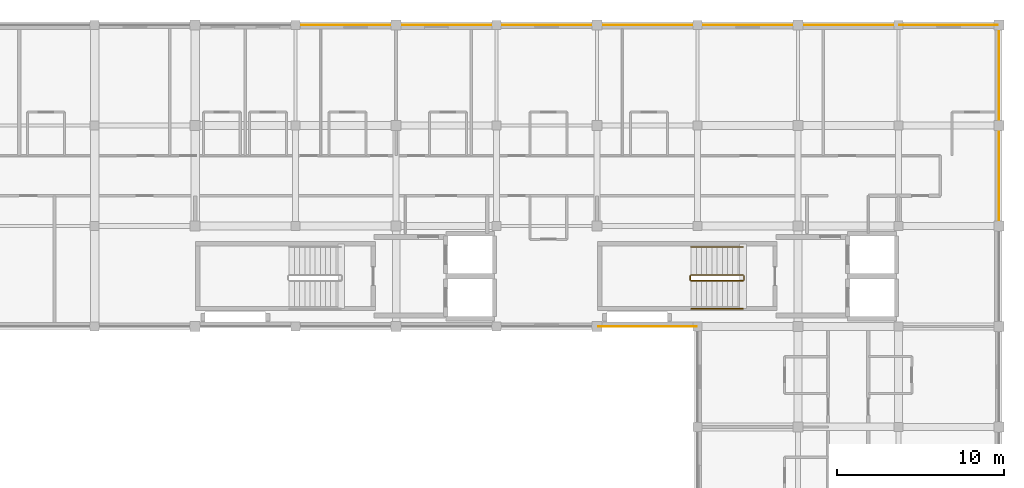
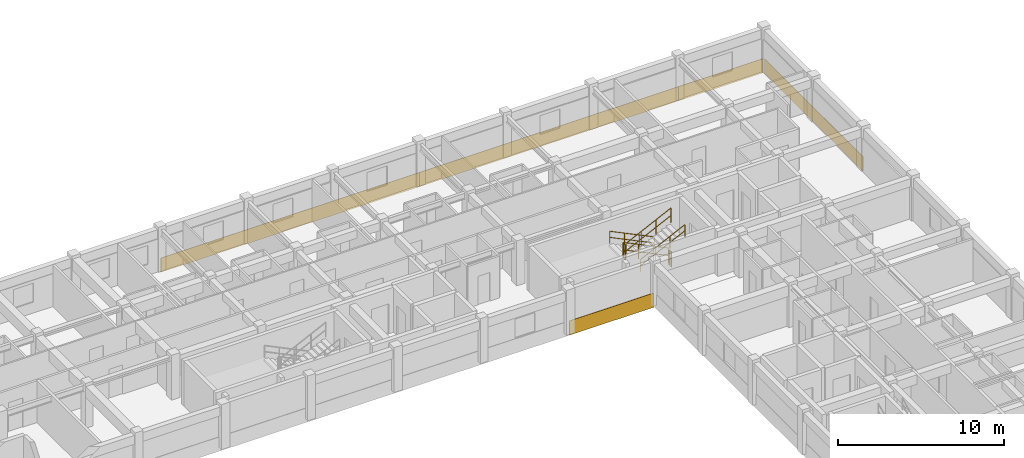
# One storey, part 21 of 21: 6 railings, 5 coverings.
"""IFC4 building model written with IfcOpenShell, lengths in metres."""

from ifc_helpers import new_model, si_unit, direction, frame, origin, origin_2d, place, context, subcontext, project, spatial, polyline, circle, outline, extrude, material, layer, layer_set, type_object, element, save


model = new_model("IFC4")

# Units and contexts
model_context = context("Model", 3, precision=1e-05, world=origin(), true_north=direction((0.0, 1.0)))
body_context = subcontext(model_context, "Body", "Model", "MODEL_VIEW")
ifc_project = project(units=[si_unit("LENGTHUNIT", "METRE"), si_unit("AREAUNIT", "SQUARE_METRE"), si_unit("VOLUMEUNIT", "CUBIC_METRE"), si_unit("PLANEANGLEUNIT", "RADIAN"), si_unit("MASSUNIT", "GRAM", prefix="KILO"), si_unit("THERMODYNAMICTEMPERATUREUNIT", "KELVIN"), si_unit("POWERUNIT", "WATT")], contexts=[model_context])

# Site, building, storey
site_placement = place(None, origin())
site = spatial("IfcSite", under=ifc_project, at=site_placement, CompositionType="ELEMENT")
building_placement = place(site_placement, origin())
building = spatial("IfcBuilding", under=site, at=building_placement, Name="Phaisarnlok Congress Hotel", CompositionType="ELEMENT")
storey_placement = place(building_placement, frame((0.0, 0.0, 31.5)))
storey = spatial("IfcBuildingStorey", under=building, at=storey_placement, Name="L07", CompositionType="ELEMENT", Elevation=31.5)

# Coverings
ifc_material_1 = material(Name="Anodised Silver Aluminium Alloy 6063-T6", Category="aluminium")
ifc_layer = layer(ifc_material_1, 0.031982421875, Name="Anodised Silver Aluminium Alloy 6063-T6")
ifc_layer_set = layer_set([ifc_layer], Name="Anodised Silver Aluminium Alloy 6063-T6")
covering_type = type_object("IfcCoveringType", Name="COV-SPAND-ALU", PredefinedType="CLADDING", material=ifc_layer_set)
for number, where, z_axis, x_axis, name in (
    (1, (156.06005859375, 125.9951171875, -0.280029296875), (0.0, 1.0, 0.0), (-1.0, 0.0, 0.0), "Swiss minimalist anodised silver rainscreen band CL-02 (L07 N)"),
    (2, (174.06005859375, 125.9951171875, -0.280029296875), (0.0, 1.0, 0.0), (-1.0, 0.0, 0.0), "Swiss minimalist anodised silver rainscreen band CL-02 (L07 N)"),
):
    element("IfcCovering", number, at=place(storey_placement, frame(where, z_axis=z_axis, x_axis=x_axis)), inside=storey, type_object=covering_type, Name=name, PredefinedType="CLADDING", context=body_context, shape_type="SweptSolid", body=[
        extrude(outline(polyline([(0.0, 0.0), (18.0, 0.0), (18.0, 1.050048828125), (0.0, 1.050048828125), (0.0, 0.0)])), origin(), (0.0, 0.0, 1.0), 0.031982421875),
    ])
covering_1_placement = place(storey_placement, frame((179.93994140625, 125.9951171875, -0.280029296875), z_axis=(0.0, 1.0, 0.0), x_axis=(-1.0, 0.0, 0.0)))
element("IfcCovering", 3, at=covering_1_placement, inside=storey, type_object=covering_type, Name="Swiss minimalist anodised silver rainscreen band CL-02 (L07 N)", PredefinedType="CLADDING", context=body_context, shape_type="SweptSolid", body=[
    extrude(outline(polyline([(0.0, 0.0), (5.8798828125, 0.0), (5.8798828125, 1.050048828125), (0.0, 1.050048828125), (0.0, 0.0)])), origin(), (0.0, 0.0, 1.0), 0.031982421875),
])
covering_2_placement = place(storey_placement, frame((179.9951171875, 114.06005859375, -0.280029296875), z_axis=(1.0, 0.0, 0.0), x_axis=(0.0, 1.0, 0.0)))
element("IfcCovering", 4, at=covering_2_placement, inside=storey, type_object=covering_type, Name="Swiss minimalist anodised silver rainscreen band CL-02 (L07 E)", PredefinedType="CLADDING", context=body_context, shape_type="SweptSolid", body=[
    extrude(outline(polyline([(0.0, 0.0), (11.8798828125, 0.0), (11.8798828125, 1.050048828125), (0.0, 1.050048828125), (0.0, 0.0)])), origin(), (0.0, 0.0, 1.0), 0.031982421875),
])
covering_3_placement = place(storey_placement, frame((156.06005859375, 108.0048828125, -0.280029296875), z_axis=(0.0, -1.0, 0.0), x_axis=(1.0, 0.0, 0.0)))
element("IfcCovering", 5, at=covering_3_placement, inside=storey, type_object=covering_type, Name="Swiss minimalist anodised silver rainscreen band CL-02 (L07 S)", PredefinedType="CLADDING", context=body_context, shape_type="SweptSolid", body=[
    extrude(outline(polyline([(0.0, 0.0), (5.8798828125, 0.0), (5.8798828125, 1.050048828125), (0.0, 1.050048828125), (0.0, 0.0)])), origin(), (0.0, 0.0, 1.0), 0.031982421875),
])

# Railings
ifc_material_2 = material(Name="Painted Galvanised Steel S275", Category="steel")
railing_type_1 = type_object("IfcRailingType", Name="RLG-STR-GUARD", PredefinedType="BALUSTRADE", material=ifc_material_2)
railing_1_placement = place(storey_placement, frame((164.719970703125, 111.070068359375, 0.14990234375)))
element("IfcRailing", 6, at=railing_1_placement, inside=storey, type_object=railing_type_1, Name="L07 ST-05 stair guard 1", PredefinedType="BALUSTRADE", context=body_context, shape_type="SweptSolid", body=[
    extrude(circle(Radius=0.02392578125, at=origin_2d()), frame((0.0, 0.0, 1.076171875), z_axis=(-0.900151181449, 0.0, 0.435577605641), x_axis=(0.0, -1.0, 0.0)), (0.0, 0.0, 1.0), 3.443603515625),
    extrude(circle(Radius=0.02392578125, at=origin_2d()), frame((0.0, 0.0, 0.52587890625), z_axis=(-0.900151181449, 0.0, 0.435577605641), x_axis=(0.0, -1.0, 0.0)), (0.0, 0.0, 1.0), 3.443603515625),
    extrude(circle(Radius=0.02099609375, at=origin_2d()), origin(), (0.0, 0.0, 1.0), 1.052001953125),
    extrude(circle(Radius=0.02099609375, at=origin_2d()), frame((-1.033203125, 0.0, 0.5)), (0.0, 0.0, 1.0), 1.052001953125),
    extrude(circle(Radius=0.02099609375, at=origin_2d()), frame((-2.066650390625, 0.0, 1.0)), (0.0, 0.0, 1.0), 1.052001953125),
    extrude(circle(Radius=0.02099609375, at=origin_2d()), frame((-3.099853515625, 0.0, 1.5)), (0.0, 0.0, 1.0), 1.052001953125),
])
railing_2_placement = place(storey_placement, frame((161.570068359375, 111.02001953125, 1.64990234375)))
element("IfcRailing", 7, at=railing_2_placement, inside=storey, type_object=railing_type_1, Name="L07 ST-05 stair guard 2", PredefinedType="BALUSTRADE", context=body_context, shape_type="SweptSolid", body=[
    extrude(circle(Radius=0.02392578125, at=origin_2d()), frame((0.0, 0.0, 1.076171875), z_axis=(0.0, -1.0, 0.0), x_axis=(1.0, 0.0, 0.0)), (0.0, 0.0, 1.0), 0.239990234375),
    extrude(circle(Radius=0.02392578125, at=origin_2d()), frame((0.0, 0.0, 0.52587890625), z_axis=(0.0, -1.0, 0.0), x_axis=(1.0, 0.0, 0.0)), (0.0, 0.0, 1.0), 0.239990234375),
    extrude(circle(Radius=0.02099609375, at=origin_2d()), origin(), (0.0, 0.0, 1.0), 1.052001953125),
    extrude(circle(Radius=0.02099609375, at=origin_2d()), frame((0.0, -0.239990234375, 0.0)), (0.0, 0.0, 1.0), 1.052001953125),
])
railing_3_placement = place(storey_placement, frame((161.6201171875, 110.72998046875, 1.800048828125)))
element("IfcRailing", 8, at=railing_3_placement, inside=storey, type_object=railing_type_1, Name="L07 ST-05 stair guard 3", PredefinedType="BALUSTRADE", context=body_context, shape_type="SweptSolid", body=[
    extrude(circle(Radius=0.02392578125, at=origin_2d()), frame((0.0, 0.0, 1.076171875), z_axis=(0.900151181449, 0.0, 0.435577605641), x_axis=(0.0, 1.0, 0.0)), (0.0, 0.0, 1.0), 3.443603515625),
    extrude(circle(Radius=0.02392578125, at=origin_2d()), frame((0.0, 0.0, 0.52587890625), z_axis=(0.900151181449, 0.0, 0.435577605641), x_axis=(0.0, 1.0, 0.0)), (0.0, 0.0, 1.0), 3.443603515625),
    extrude(circle(Radius=0.02099609375, at=origin_2d()), origin(), (0.0, 0.0, 1.0), 1.052001953125),
    extrude(circle(Radius=0.02099609375, at=origin_2d()), frame((1.033203125, 0.0, 0.5)), (0.0, 0.0, 1.0), 1.052001953125),
    extrude(circle(Radius=0.02099609375, at=origin_2d()), frame((2.066650390625, 0.0, 1.0)), (0.0, 0.0, 1.0), 1.052001953125),
    extrude(circle(Radius=0.02099609375, at=origin_2d()), frame((3.099853515625, 0.0, 1.5)), (0.0, 0.0, 1.0), 1.052001953125),
])
railing_4_placement = place(storey_placement, frame((164.77001953125, 111.02001953125, 0.0)))
element("IfcRailing", 9, at=railing_4_placement, inside=storey, type_object=railing_type_1, Name="L07 ST-05 stair guard 4", PredefinedType="BALUSTRADE", context=body_context, shape_type="SweptSolid", body=[
    extrude(circle(Radius=0.02392578125, at=origin_2d()), frame((0.0, 0.0, 1.076171875), z_axis=(0.0, -1.0, 0.0), x_axis=(1.0, 0.0, 0.0)), (0.0, 0.0, 1.0), 0.239990234375),
    extrude(circle(Radius=0.02392578125, at=origin_2d()), frame((0.0, 0.0, 0.52587890625), z_axis=(0.0, -1.0, 0.0), x_axis=(1.0, 0.0, 0.0)), (0.0, 0.0, 1.0), 0.239990234375),
    extrude(circle(Radius=0.02099609375, at=origin_2d()), origin(), (0.0, 0.0, 1.0), 1.052001953125),
    extrude(circle(Radius=0.02099609375, at=origin_2d()), frame((0.0, -0.239990234375, 0.0)), (0.0, 0.0, 1.0), 1.052001953125),
])
ifc_material_3 = material(Name="Brushed Stainless Steel Grade 304", Category="steel")
railing_type_2 = type_object("IfcRailingType", Name="RLG-STR-HRAIL", PredefinedType="HANDRAIL", material=ifc_material_3)
railing_5_placement = place(storey_placement, frame((164.719970703125, 112.75, 0.14990234375)))
element("IfcRailing", 10, at=railing_5_placement, inside=storey, type_object=railing_type_2, Name="L07 ST-05 stair handrail 1", PredefinedType="HANDRAIL", context=body_context, shape_type="SweptSolid", body=[
    extrude(circle(Radius=0.02392578125, at=origin_2d()), frame((0.0, 0.0, 0.8759765625), z_axis=(-0.900151181449, 0.0, 0.435577605641), x_axis=(0.0, -1.0, 0.0)), (0.0, 0.0, 1.0), 3.443603515625),
    extrude(circle(Radius=0.02392578125, at=origin_2d()), frame((0.0, 0.0, 0.42578125), z_axis=(-0.900151181449, 0.0, 0.435577605641), x_axis=(0.0, -1.0, 0.0)), (0.0, 0.0, 1.0), 3.443603515625),
    extrude(circle(Radius=0.02099609375, at=origin_2d()), origin(), (0.0, 0.0, 1.0), 0.851806640625),
    extrude(circle(Radius=0.02099609375, at=origin_2d()), frame((-1.033203125, 0.0, 0.5)), (0.0, 0.0, 1.0), 0.851806640625),
    extrude(circle(Radius=0.02099609375, at=origin_2d()), frame((-2.066650390625, 0.0, 1.0)), (0.0, 0.0, 1.0), 0.851806640625),
    extrude(circle(Radius=0.02099609375, at=origin_2d()), frame((-3.099853515625, 0.0, 1.5)), (0.0, 0.0, 1.0), 0.851806640625),
])
railing_6_placement = place(storey_placement, frame((161.6201171875, 109.050048828125, 1.800048828125)))
element("IfcRailing", 11, at=railing_6_placement, inside=storey, type_object=railing_type_2, Name="L07 ST-05 stair handrail 2", PredefinedType="HANDRAIL", context=body_context, shape_type="SweptSolid", body=[
    extrude(circle(Radius=0.02392578125, at=origin_2d()), frame((0.0, 0.0, 0.8759765625), z_axis=(0.900151181449, 0.0, 0.435577605641), x_axis=(0.0, 1.0, 0.0)), (0.0, 0.0, 1.0), 3.443603515625),
    extrude(circle(Radius=0.02392578125, at=origin_2d()), frame((0.0, 0.0, 0.42578125), z_axis=(0.900151181449, 0.0, 0.435577605641), x_axis=(0.0, 1.0, 0.0)), (0.0, 0.0, 1.0), 3.443603515625),
    extrude(circle(Radius=0.02099609375, at=origin_2d()), origin(), (0.0, 0.0, 1.0), 0.851806640625),
    extrude(circle(Radius=0.02099609375, at=origin_2d()), frame((1.033203125, 0.0, 0.5)), (0.0, 0.0, 1.0), 0.851806640625),
    extrude(circle(Radius=0.02099609375, at=origin_2d()), frame((2.066650390625, 0.0, 1.0)), (0.0, 0.0, 1.0), 0.851806640625),
    extrude(circle(Radius=0.02099609375, at=origin_2d()), frame((3.099853515625, 0.0, 1.5)), (0.0, 0.0, 1.0), 0.851806640625),
])

save(model, "model.ifc")
